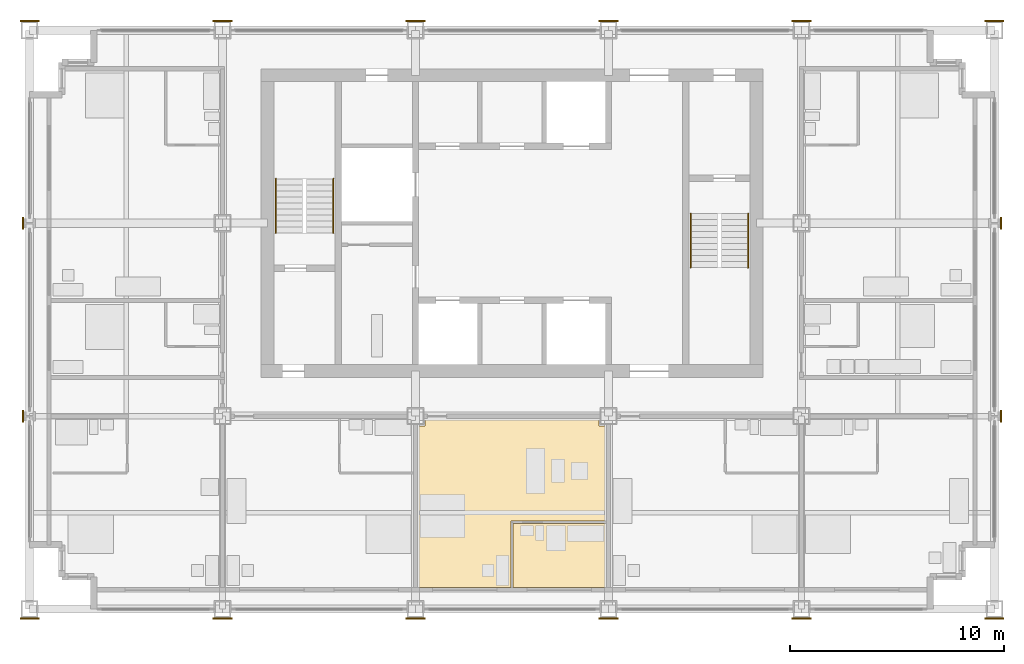
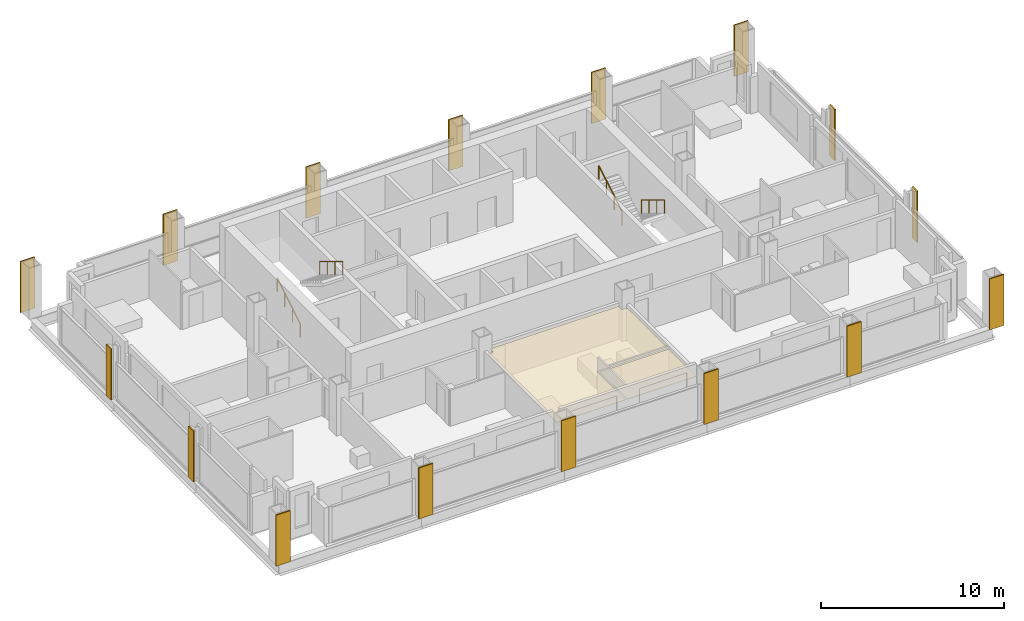
# One storey, part 11 of 13: 18 coverings, 4 railings.
"""IFC4 building model written with IfcOpenShell, lengths in metres."""

from ifc_helpers import new_model, si_unit, direction, frame, origin, origin_2d, place, context, subcontext, project, spatial, polyline, rectangle, circle, outline, extrude, material, layer, layer_set, type_object, element, save


model = new_model("IFC4")

# Units and contexts
model_context = context("Model", 3, precision=1e-05, world=origin(), true_north=direction((0.0, 1.0)))
body_context = subcontext(model_context, "Body", "Model", "MODEL_VIEW")
ifc_project = project(units=[si_unit("LENGTHUNIT", "METRE"), si_unit("AREAUNIT", "SQUARE_METRE"), si_unit("VOLUMEUNIT", "CUBIC_METRE"), si_unit("PLANEANGLEUNIT", "RADIAN"), si_unit("MASSUNIT", "GRAM", prefix="KILO")], contexts=[model_context])

# Site, building, storey
site_placement = place(None, origin())
site = spatial("IfcSite", under=ifc_project, at=site_placement, CompositionType="ELEMENT")
building_placement = place(site_placement, origin())
building = spatial("IfcBuilding", under=site, at=building_placement, Name="Loomwork Tower", CompositionType="ELEMENT")
storey_placement = place(building_placement, frame((0.0, 0.0, 180.800048828125)))
storey = spatial("IfcBuildingStorey", under=building, at=storey_placement, Name="L49", CompositionType="ELEMENT", Elevation=180.800048828125)

# Railings
ifc_material_1 = material(Name="Stainless steel handrail", Category="steel")
railing_type = type_object("IfcRailingType", Name="Handrail 900", PredefinedType="HANDRAIL", material=ifc_material_1)
railing_1_placement = place(storey_placement, frame((11.485107421875, 17.550048828125, 0.169921875)))
element("IfcRailing", 1, at=railing_1_placement, inside=storey, type_object=railing_type, Name="Stair A handrail flight 1 L49", PredefinedType="HANDRAIL", context=body_context, shape_type="SweptSolid", body=[
    extrude(circle(Radius=0.02392578125, at=origin_2d()), frame((0.0, 0.0, 0.8759765625), z_axis=(0.0, 0.85478489116, 0.518982456201), x_axis=(-1.0, 0.0, 0.0)), (0.0, 0.0, 1.0), 2.9482421875),
    extrude(circle(Radius=0.02099609375, at=origin_2d()), origin(), (0.0, 0.0, 1.0), 0.851806640625),
    extrude(circle(Radius=0.02099609375, at=origin_2d()), frame((0.0, 0.840087890625, 0.510009765625)), (0.0, 0.0, 1.0), 0.851806640625),
    extrude(circle(Radius=0.02099609375, at=origin_2d()), frame((0.0, 1.679931640625, 1.02001953125)), (0.0, 0.0, 1.0), 0.851806640625),
    extrude(circle(Radius=0.02099609375, at=origin_2d()), frame((0.0, 2.52001953125, 1.530029296875)), (0.0, 0.0, 1.0), 0.851806640625),
])
for number, where, name in (
    (2, (14.1650390625, 20.070068359375, 1.869873046875), "Stair A handrail flight 2 L49"),
    (3, (33.514892578125, 18.449951171875, 0.169921875), "Stair B handrail flight 1 L49"),
):
    element("IfcRailing", number, at=place(storey_placement, frame(where)), inside=storey, type_object=railing_type, Name=name, PredefinedType="HANDRAIL", context=body_context, shape_type="SweptSolid", body=[
        extrude(circle(Radius=0.02392578125, at=origin_2d()), frame((0.0, 0.0, 0.8759765625), z_axis=(0.0, -0.85478489116, 0.518982456201), x_axis=(1.0, 0.0, 0.0)), (0.0, 0.0, 1.0), 2.9482421875),
        extrude(circle(Radius=0.02099609375, at=origin_2d()), origin(), (0.0, 0.0, 1.0), 0.851806640625),
        extrude(circle(Radius=0.02099609375, at=origin_2d()), frame((0.0, -0.840087890625, 0.510009765625)), (0.0, 0.0, 1.0), 0.851806640625),
        extrude(circle(Radius=0.02099609375, at=origin_2d()), frame((0.0, -1.679931640625, 1.02001953125)), (0.0, 0.0, 1.0), 0.851806640625),
        extrude(circle(Radius=0.02099609375, at=origin_2d()), frame((0.0, -2.52001953125, 1.530029296875)), (0.0, 0.0, 1.0), 0.851806640625),
    ])
railing_2_placement = place(storey_placement, frame((30.8349609375, 15.929931640625, 1.869873046875)))
element("IfcRailing", 4, at=railing_2_placement, inside=storey, type_object=railing_type, Name="Stair B handrail flight 2 L49", PredefinedType="HANDRAIL", context=body_context, shape_type="SweptSolid", body=[
    extrude(circle(Radius=0.02392578125, at=origin_2d()), frame((0.0, 0.0, 0.8759765625), z_axis=(0.0, 0.85478489116, 0.518982456201), x_axis=(-1.0, 0.0, 0.0)), (0.0, 0.0, 1.0), 2.9482421875),
    extrude(circle(Radius=0.02099609375, at=origin_2d()), origin(), (0.0, 0.0, 1.0), 0.851806640625),
    extrude(circle(Radius=0.02099609375, at=origin_2d()), frame((0.0, 0.840087890625, 0.510009765625)), (0.0, 0.0, 1.0), 0.851806640625),
    extrude(circle(Radius=0.02099609375, at=origin_2d()), frame((0.0, 1.679931640625, 1.02001953125)), (0.0, 0.0, 1.0), 0.851806640625),
    extrude(circle(Radius=0.02099609375, at=origin_2d()), frame((0.0, 2.52001953125, 1.530029296875)), (0.0, 0.0, 1.0), 0.851806640625),
])

# Coverings
ifc_material_2 = material(Name="Limestone", Category="masonry")
ifc_layer_1 = layer(ifc_material_2, 0.080078125)
ifc_layer_set_1 = layer_set([ifc_layer_1], Name="Limestone pier facing 80")
covering_type_1 = type_object("IfcCoveringType", Name="Limestone pier facing 80", PredefinedType="CLADDING", material=ifc_layer_set_1)
covering_1_placement = place(storey_placement, frame((0.0, -0.43994140625, 0.0), z_axis=(0.0, 0.0, 1.0), x_axis=(1.0, 0.0, 0.0)))
element("IfcCovering", 5, at=covering_1_placement, inside=storey, type_object=covering_type_1, Name="Pier facing D/2 L49", PredefinedType="CLADDING", context=body_context, shape_type="SweptSolid", body=[
    extrude(rectangle(XDim=0.89990234375, YDim=0.080078125, at=origin_2d()), origin(), (0.0, 0.0, 1.0), 3.39990234375),
])
for number, where, z_axis, x_axis, name in (
    (6, (-0.314208984375, 9.0, 0.0), (0.0, 0.0, 1.0), (1.0, 0.0, 0.0), "Pier facing E/2 L49"),
    (7, (-0.314208984375, 18.0, 0.0), (0.0, 0.0, 1.0), (1.0, 0.0, 0.0), "Pier facing F/2 L49"),
):
    element("IfcCovering", number, at=place(storey_placement, frame(where, z_axis=z_axis, x_axis=x_axis)), inside=storey, type_object=covering_type_1, Name=name, PredefinedType="CLADDING", context=body_context, shape_type="SweptSolid", body=[
        extrude(rectangle(XDim=0.080078125, YDim=0.549560546875, at=origin_2d()), origin(), (0.0, 0.0, 1.0), 3.39990234375),
    ])
for number, where, z_axis, x_axis, name in (
    (8, (0.0, 27.43994140625, 0.0), (0.0, 0.0, 1.0), (1.0, 0.0, 0.0), "Pier facing G/2 L49"),
    (9, (9.0, -0.43994140625, 0.0), (0.0, 0.0, 1.0), (1.0, 0.0, 0.0), "Pier facing D/3 L49"),
    (10, (9.0, 27.43994140625, 0.0), (0.0, 0.0, 1.0), (1.0, 0.0, 0.0), "Pier facing G/3 L49"),
    (11, (18.0, -0.43994140625, 0.0), (0.0, 0.0, 1.0), (1.0, 0.0, 0.0), "Pier facing D/4 L49"),
    (12, (18.0, 27.43994140625, 0.0), (0.0, 0.0, 1.0), (1.0, 0.0, 0.0), "Pier facing G/4 L49"),
    (13, (27.0, -0.43994140625, 0.0), (0.0, 0.0, 1.0), (1.0, 0.0, 0.0), "Pier facing D/5 L49"),
    (14, (27.0, 27.43994140625, 0.0), (0.0, 0.0, 1.0), (1.0, 0.0, 0.0), "Pier facing G/5 L49"),
    (15, (36.0, -0.43994140625, 0.0), (0.0, 0.0, 1.0), (1.0, 0.0, 0.0), "Pier facing D/6 L49"),
    (16, (36.0, 27.43994140625, 0.0), (0.0, 0.0, 1.0), (1.0, 0.0, 0.0), "Pier facing G/6 L49"),
    (17, (45.0, -0.43994140625, 0.0), (0.0, 0.0, 1.0), (1.0, 0.0, 0.0), "Pier facing D/7 L49"),
):
    element("IfcCovering", number, at=place(storey_placement, frame(where, z_axis=z_axis, x_axis=x_axis)), inside=storey, type_object=covering_type_1, Name=name, PredefinedType="CLADDING", context=body_context, shape_type="SweptSolid", body=[
        extrude(rectangle(XDim=0.89990234375, YDim=0.080078125, at=origin_2d()), origin(), (0.0, 0.0, 1.0), 3.39990234375),
    ])
for number, where, z_axis, x_axis, name in (
    (18, (45.314208984375, 9.0, 0.0), (0.0, 0.0, 1.0), (1.0, 0.0, 0.0), "Pier facing E/7 L49"),
    (19, (45.314208984375, 18.0, 0.0), (0.0, 0.0, 1.0), (1.0, 0.0, 0.0), "Pier facing F/7 L49"),
):
    element("IfcCovering", number, at=place(storey_placement, frame(where, z_axis=z_axis, x_axis=x_axis)), inside=storey, type_object=covering_type_1, Name=name, PredefinedType="CLADDING", context=body_context, shape_type="SweptSolid", body=[
        extrude(rectangle(XDim=0.080078125, YDim=0.549560546875, at=origin_2d()), origin(), (0.0, 0.0, 1.0), 3.39990234375),
    ])
covering_2_placement = place(storey_placement, frame((45.0, 27.43994140625, 0.0), z_axis=(0.0, 0.0, 1.0), x_axis=(1.0, 0.0, 0.0)))
element("IfcCovering", 20, at=covering_2_placement, inside=storey, type_object=covering_type_1, Name="Pier facing G/7 L49", PredefinedType="CLADDING", context=body_context, shape_type="SweptSolid", body=[
    extrude(rectangle(XDim=0.89990234375, YDim=0.080078125, at=origin_2d()), origin(), (0.0, 0.0, 1.0), 3.39990234375),
])
ifc_material_3 = material(Name="Mineral fibre acoustic tile on suspension grid")
ifc_layer_2 = layer(ifc_material_3, 0.02490234375)
ifc_layer_set_2 = layer_set([ifc_layer_2], Name="Suspended acoustic ceiling")
covering_type_2 = type_object("IfcCoveringType", Name="Suspended acoustic ceiling", PredefinedType="CEILING", material=ifc_layer_set_2)
covering_3_placement = place(storey_placement, frame((0.0, 0.0, 2.175048828125)))
element("IfcCovering", 21, at=covering_3_placement, inside=storey, type_object=covering_type_2, Name="Ceiling Spa bathroom L49", PredefinedType="CEILING", context=body_context, shape_type="SweptSolid", body=[
    extrude(outline(polyline([(26.89990234375, 4.0), (26.89990234375, 1.0), (22.550048828125, 1.0), (22.550048828125, 4.0), (26.89990234375, 4.0)])), origin(), (0.0, 0.0, 1.0), 0.02490234375),
])
covering_4_placement = place(storey_placement, frame((0.0, 0.0, 2.175048828125)))
element("IfcCovering", 22, at=covering_4_placement, inside=storey, type_object=covering_type_2, Name="Ceiling Spa suite L49", PredefinedType="CEILING", context=body_context, shape_type="SweptSolid", body=[
    extrude(outline(polyline([(26.550048828125, 8.89990234375), (26.550048828125, 8.550048828125), (26.89990234375, 8.550048828125), (26.89990234375, 4.10009765625), (22.449951171875, 4.10009765625), (22.449951171875, 1.0), (18.10009765625, 1.0), (18.10009765625, 8.550048828125), (18.449951171875, 8.550048828125), (18.449951171875, 8.89990234375), (26.550048828125, 8.89990234375)])), origin(), (0.0, 0.0, 1.0), 0.02490234375),
])

save(model, "model.ifc")
